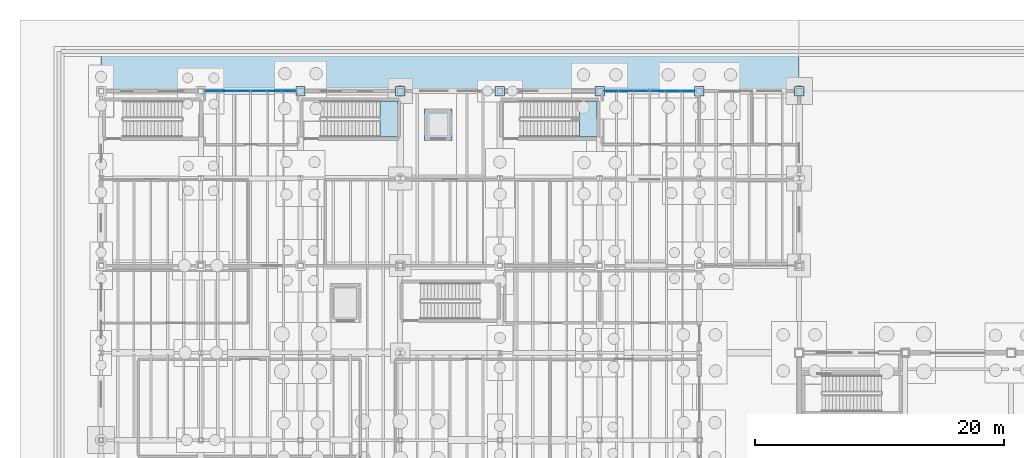
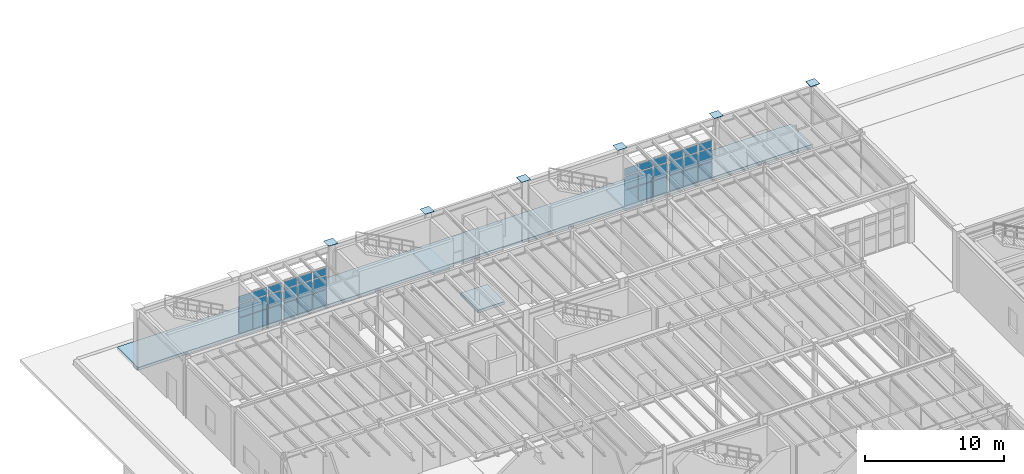
# One storey, part 51 of 86: 42 plates, 4 slabs, 6 elements without a shape of their own.
"""IFC4 building model written with IfcOpenShell, lengths in metres."""

from ifc_helpers import new_model, si_unit, direction, frame, origin, origin_2d, place, context, subcontext, project, spatial, polyline, rectangle, outline, extrude, material, layer, layer_set, material_profile, profile_set, type_object, element, aggregate, save


model = new_model("IFC4")

# Units and contexts
model_context = context("Model", 3, precision=1e-05, world=origin(), true_north=direction((0.0, 1.0)))
body_context = subcontext(model_context, "Body", "Model", "MODEL_VIEW")
ifc_project = project(units=[si_unit("LENGTHUNIT", "METRE"), si_unit("AREAUNIT", "SQUARE_METRE"), si_unit("VOLUMEUNIT", "CUBIC_METRE"), si_unit("PLANEANGLEUNIT", "RADIAN"), si_unit("MASSUNIT", "GRAM", prefix="KILO"), si_unit("THERMODYNAMICTEMPERATUREUNIT", "KELVIN"), si_unit("POWERUNIT", "WATT")], contexts=[model_context])

# Site, building, storey
site_placement = place(None, origin())
site = spatial("IfcSite", under=ifc_project, at=site_placement, CompositionType="ELEMENT")
building_placement = place(site_placement, origin())
building = spatial("IfcBuilding", under=site, at=building_placement, Name="Zhenchuan Central Fire Station", CompositionType="ELEMENT")
storey_placement = place(building_placement, frame((0.0, 0.0, 0.449951171875)))
storey = spatial("IfcBuildingStorey", under=building, at=storey_placement, Name="L01", CompositionType="ELEMENT", Elevation=0.449951171875)

# Curtain wall, plates
ifc_material_1 = material(Name="Anodised aluminium and low-E glazing", Category="aluminium")
curtain_wall_type_1 = type_object("IfcCurtainWallType", Name="CW-MOD-02", PredefinedType="USERDEFINED", material=ifc_material_1)
curtain_wall_1_placement = place(storey_placement, origin())
curtain_wall_1 = element("IfcCurtainWall", 1, at=curtain_wall_1_placement, inside=storey, type_object=curtain_wall_type_1, Name="L01 Unitised Curtain Wall 052", ObjectType="UNITISED GLAZING", PredefinedType="USERDEFINED")
ifc_material_2 = material(Name="Laminated low-E double glazing", Category="glass")
ifc_layer_1 = layer(ifc_material_2, 0.011962890625, Name="Laminated low-E double glazing", Category="glass")
ifc_layer_set_1 = layer_set([ifc_layer_1], Name="Laminated low-E double glazing")
plate_type_1 = type_object("IfcPlateType", Name="CW-PNL12", PredefinedType="CURTAIN_PANEL", material=ifc_layer_set_1)
plate_1_placement = place(storey_placement, frame((8.926513671875, 56.5, 0.06103515625), z_axis=(0.0, 0.0, 1.0), x_axis=(1.0, 0.0, 0.0)))
plate_1 = element("IfcPlate", 2, at=plate_1_placement, type_object=plate_type_1, Name="CW-02 panel 1.1", PredefinedType="CURTAIN_PANEL", context=body_context, shape_type="SweptSolid", body=[
    extrude(rectangle(XDim=1.123046875, YDim=0.011962890625, at=origin_2d()), origin(), (0.0, 0.0, 1.0), 1.33447265625),
])
plate_2_placement = place(storey_placement, frame((8.926513671875, 56.5, 1.46044921875), z_axis=(0.0, 0.0, 1.0), x_axis=(1.0, 0.0, 0.0)))
plate_2 = element("IfcPlate", 3, at=plate_2_placement, type_object=plate_type_1, Name="CW-02 panel 1.2", PredefinedType="CURTAIN_PANEL", context=body_context, shape_type="SweptSolid", body=[
    extrude(rectangle(XDim=1.123046875, YDim=0.011962890625, at=origin_2d()), origin(), (0.0, 0.0, 1.0), 1.158935546875),
])
plate_3_placement = place(storey_placement, frame((8.926513671875, 56.5, 2.6845703125), z_axis=(0.0, 0.0, 1.0), x_axis=(1.0, 0.0, 0.0)))
plate_3 = element("IfcPlate", 4, at=plate_3_placement, type_object=plate_type_1, Name="CW-02 panel 1.3", PredefinedType="CURTAIN_PANEL", context=body_context, shape_type="SweptSolid", body=[
    extrude(rectangle(XDim=1.123046875, YDim=0.011962890625, at=origin_2d()), origin(), (0.0, 0.0, 1.0), 0.650390625),
])
plate_4_placement = place(storey_placement, frame((10.131103515625, 56.5, 0.06103515625), z_axis=(0.0, 0.0, 1.0), x_axis=(1.0, 0.0, 0.0)))
plate_4 = element("IfcPlate", 5, at=plate_4_placement, type_object=plate_type_1, Name="CW-02 panel 2.1", PredefinedType="CURTAIN_PANEL", context=body_context, shape_type="SweptSolid", body=[
    extrude(rectangle(XDim=1.15576171875, YDim=0.011962890625, at=origin_2d()), origin(), (0.0, 0.0, 1.0), 1.33447265625),
])
plate_5_placement = place(storey_placement, frame((10.131103515625, 56.5, 1.46044921875), z_axis=(0.0, 0.0, 1.0), x_axis=(1.0, 0.0, 0.0)))
plate_5 = element("IfcPlate", 6, at=plate_5_placement, type_object=plate_type_1, Name="CW-02 panel 2.2", PredefinedType="CURTAIN_PANEL", context=body_context, shape_type="SweptSolid", body=[
    extrude(rectangle(XDim=1.15576171875, YDim=0.011962890625, at=origin_2d()), origin(), (0.0, 0.0, 1.0), 1.158935546875),
])
plate_6_placement = place(storey_placement, frame((10.131103515625, 56.5, 2.6845703125), z_axis=(0.0, 0.0, 1.0), x_axis=(1.0, 0.0, 0.0)))
plate_6 = element("IfcPlate", 7, at=plate_6_placement, type_object=plate_type_1, Name="CW-02 panel 2.3", PredefinedType="CURTAIN_PANEL", context=body_context, shape_type="SweptSolid", body=[
    extrude(rectangle(XDim=1.15576171875, YDim=0.011962890625, at=origin_2d()), origin(), (0.0, 0.0, 1.0), 0.650390625),
])
plate_7_placement = place(storey_placement, frame((11.33544921875, 56.5, 0.06103515625), z_axis=(0.0, 0.0, 1.0), x_axis=(1.0, 0.0, 0.0)))
plate_7 = element("IfcPlate", 8, at=plate_7_placement, type_object=plate_type_1, Name="CW-02 panel 3.1", PredefinedType="CURTAIN_PANEL", context=body_context, shape_type="SweptSolid", body=[
    extrude(rectangle(XDim=1.123046875, YDim=0.011962890625, at=origin_2d()), origin(), (0.0, 0.0, 1.0), 1.33447265625),
])
plate_8_placement = place(storey_placement, frame((11.33544921875, 56.5, 1.46044921875), z_axis=(0.0, 0.0, 1.0), x_axis=(1.0, 0.0, 0.0)))
plate_8 = element("IfcPlate", 9, at=plate_8_placement, type_object=plate_type_1, Name="CW-02 panel 3.2", PredefinedType="CURTAIN_PANEL", context=body_context, shape_type="SweptSolid", body=[
    extrude(rectangle(XDim=1.123046875, YDim=0.011962890625, at=origin_2d()), origin(), (0.0, 0.0, 1.0), 1.158935546875),
])
plate_9_placement = place(storey_placement, frame((11.33544921875, 56.5, 2.6845703125), z_axis=(0.0, 0.0, 1.0), x_axis=(1.0, 0.0, 0.0)))
plate_9 = element("IfcPlate", 10, at=plate_9_placement, type_object=plate_type_1, Name="CW-02 panel 3.3", PredefinedType="CURTAIN_PANEL", context=body_context, shape_type="SweptSolid", body=[
    extrude(rectangle(XDim=1.123046875, YDim=0.011962890625, at=origin_2d()), origin(), (0.0, 0.0, 1.0), 0.650390625),
])
aggregate(curtain_wall_1, [plate_1, plate_2, plate_3, plate_4, plate_5, plate_6, plate_7, plate_8, plate_9])

curtain_wall_type_2 = type_object("IfcCurtainWallType", Name="CW-MOD-03", PredefinedType="USERDEFINED", material=ifc_material_1)
curtain_wall_2_placement = place(storey_placement, origin())
curtain_wall_2 = element("IfcCurtainWall", 11, at=curtain_wall_2_placement, inside=storey, type_object=curtain_wall_type_2, Name="L01 Unitised Curtain Wall 053", ObjectType="UNITISED GLAZING", PredefinedType="USERDEFINED")
plate_10_placement = place(storey_placement, frame((12.66455078125, 56.5, 0.06103515625), z_axis=(0.0, 0.0, 1.0), x_axis=(1.0, 0.0, 0.0)))
plate_10 = element("IfcPlate", 12, at=plate_10_placement, type_object=plate_type_1, Name="CW-03 panel 1.1", PredefinedType="CURTAIN_PANEL", context=body_context, shape_type="SweptSolid", body=[
    extrude(rectangle(XDim=1.123046875, YDim=0.011962890625, at=origin_2d()), origin(), (0.0, 0.0, 1.0), 1.33447265625),
])
plate_11_placement = place(storey_placement, frame((12.66455078125, 56.5, 1.46044921875), z_axis=(0.0, 0.0, 1.0), x_axis=(1.0, 0.0, 0.0)))
plate_11 = element("IfcPlate", 13, at=plate_11_placement, type_object=plate_type_1, Name="CW-03 panel 1.2", PredefinedType="CURTAIN_PANEL", context=body_context, shape_type="SweptSolid", body=[
    extrude(rectangle(XDim=1.123046875, YDim=0.011962890625, at=origin_2d()), origin(), (0.0, 0.0, 1.0), 1.158935546875),
])
plate_12_placement = place(storey_placement, frame((12.66455078125, 56.5, 2.6845703125), z_axis=(0.0, 0.0, 1.0), x_axis=(1.0, 0.0, 0.0)))
plate_12 = element("IfcPlate", 14, at=plate_12_placement, type_object=plate_type_1, Name="CW-03 panel 1.3", PredefinedType="CURTAIN_PANEL", context=body_context, shape_type="SweptSolid", body=[
    extrude(rectangle(XDim=1.123046875, YDim=0.011962890625, at=origin_2d()), origin(), (0.0, 0.0, 1.0), 0.650390625),
])
plate_13_placement = place(storey_placement, frame((13.868896484375, 56.5, 0.06103515625), z_axis=(0.0, 0.0, 1.0), x_axis=(1.0, 0.0, 0.0)))
plate_13 = element("IfcPlate", 15, at=plate_13_placement, type_object=plate_type_1, Name="CW-03 panel 2.1", PredefinedType="CURTAIN_PANEL", context=body_context, shape_type="SweptSolid", body=[
    extrude(rectangle(XDim=1.15576171875, YDim=0.011962890625, at=origin_2d()), origin(), (0.0, 0.0, 1.0), 1.33447265625),
])
plate_14_placement = place(storey_placement, frame((13.868896484375, 56.5, 1.46044921875), z_axis=(0.0, 0.0, 1.0), x_axis=(1.0, 0.0, 0.0)))
plate_14 = element("IfcPlate", 16, at=plate_14_placement, type_object=plate_type_1, Name="CW-03 panel 2.2", PredefinedType="CURTAIN_PANEL", context=body_context, shape_type="SweptSolid", body=[
    extrude(rectangle(XDim=1.15576171875, YDim=0.011962890625, at=origin_2d()), origin(), (0.0, 0.0, 1.0), 1.158935546875),
])
plate_15_placement = place(storey_placement, frame((13.868896484375, 56.5, 2.6845703125), z_axis=(0.0, 0.0, 1.0), x_axis=(1.0, 0.0, 0.0)))
plate_15 = element("IfcPlate", 17, at=plate_15_placement, type_object=plate_type_1, Name="CW-03 panel 2.3", PredefinedType="CURTAIN_PANEL", context=body_context, shape_type="SweptSolid", body=[
    extrude(rectangle(XDim=1.15576171875, YDim=0.011962890625, at=origin_2d()), origin(), (0.0, 0.0, 1.0), 0.650390625),
])
plate_16_placement = place(storey_placement, frame((15.073486328125, 56.5, 0.06103515625), z_axis=(0.0, 0.0, 1.0), x_axis=(1.0, 0.0, 0.0)))
plate_16 = element("IfcPlate", 18, at=plate_16_placement, type_object=plate_type_1, Name="CW-03 panel 3.1", PredefinedType="CURTAIN_PANEL", context=body_context, shape_type="SweptSolid", body=[
    extrude(rectangle(XDim=1.123046875, YDim=0.011962890625, at=origin_2d()), origin(), (0.0, 0.0, 1.0), 1.33447265625),
])
plate_17_placement = place(storey_placement, frame((15.073486328125, 56.5, 1.46044921875), z_axis=(0.0, 0.0, 1.0), x_axis=(1.0, 0.0, 0.0)))
plate_17 = element("IfcPlate", 19, at=plate_17_placement, type_object=plate_type_1, Name="CW-03 panel 3.2", PredefinedType="CURTAIN_PANEL", context=body_context, shape_type="SweptSolid", body=[
    extrude(rectangle(XDim=1.123046875, YDim=0.011962890625, at=origin_2d()), origin(), (0.0, 0.0, 1.0), 1.158935546875),
])
plate_18_placement = place(storey_placement, frame((15.073486328125, 56.5, 2.6845703125), z_axis=(0.0, 0.0, 1.0), x_axis=(1.0, 0.0, 0.0)))
plate_18 = element("IfcPlate", 20, at=plate_18_placement, type_object=plate_type_1, Name="CW-03 panel 3.3", PredefinedType="CURTAIN_PANEL", context=body_context, shape_type="SweptSolid", body=[
    extrude(rectangle(XDim=1.123046875, YDim=0.011962890625, at=origin_2d()), origin(), (0.0, 0.0, 1.0), 0.650390625),
])
aggregate(curtain_wall_2, [plate_10, plate_11, plate_12, plate_13, plate_14, plate_15, plate_16, plate_17, plate_18])

curtain_wall_type_3 = type_object("IfcCurtainWallType", Name="CW-MOD-06", PredefinedType="USERDEFINED", material=ifc_material_1)
curtain_wall_3_placement = place(storey_placement, origin())
curtain_wall_3 = element("IfcCurtainWall", 21, at=curtain_wall_3_placement, inside=storey, type_object=curtain_wall_type_3, Name="L01 Unitised Curtain Wall 054", ObjectType="UNITISED GLAZING", PredefinedType="USERDEFINED")
plate_19_placement = place(storey_placement, frame((40.926513671875, 56.5, 0.06103515625), z_axis=(0.0, 0.0, 1.0), x_axis=(1.0, 0.0, 0.0)))
plate_19 = element("IfcPlate", 22, at=plate_19_placement, type_object=plate_type_1, Name="CW-06 panel 1.1", PredefinedType="CURTAIN_PANEL", context=body_context, shape_type="SweptSolid", body=[
    extrude(rectangle(XDim=1.123046875, YDim=0.011962890625, at=origin_2d()), origin(), (0.0, 0.0, 1.0), 1.33447265625),
])
plate_20_placement = place(storey_placement, frame((40.926513671875, 56.5, 1.46044921875), z_axis=(0.0, 0.0, 1.0), x_axis=(1.0, 0.0, 0.0)))
plate_20 = element("IfcPlate", 23, at=plate_20_placement, type_object=plate_type_1, Name="CW-06 panel 1.2", PredefinedType="CURTAIN_PANEL", context=body_context, shape_type="SweptSolid", body=[
    extrude(rectangle(XDim=1.123046875, YDim=0.011962890625, at=origin_2d()), origin(), (0.0, 0.0, 1.0), 1.158935546875),
])
plate_21_placement = place(storey_placement, frame((40.926513671875, 56.5, 2.6845703125), z_axis=(0.0, 0.0, 1.0), x_axis=(1.0, 0.0, 0.0)))
plate_21 = element("IfcPlate", 24, at=plate_21_placement, type_object=plate_type_1, Name="CW-06 panel 1.3", PredefinedType="CURTAIN_PANEL", context=body_context, shape_type="SweptSolid", body=[
    extrude(rectangle(XDim=1.123046875, YDim=0.011962890625, at=origin_2d()), origin(), (0.0, 0.0, 1.0), 0.650390625),
])
plate_22_placement = place(storey_placement, frame((42.131103515625, 56.5, 0.06103515625), z_axis=(0.0, 0.0, 1.0), x_axis=(1.0, 0.0, 0.0)))
plate_22 = element("IfcPlate", 25, at=plate_22_placement, type_object=plate_type_1, Name="CW-06 panel 2.1", PredefinedType="CURTAIN_PANEL", context=body_context, shape_type="SweptSolid", body=[
    extrude(rectangle(XDim=1.15576171875, YDim=0.011962890625, at=origin_2d()), origin(), (0.0, 0.0, 1.0), 1.33447265625),
])
plate_23_placement = place(storey_placement, frame((42.131103515625, 56.5, 1.46044921875), z_axis=(0.0, 0.0, 1.0), x_axis=(1.0, 0.0, 0.0)))
plate_23 = element("IfcPlate", 26, at=plate_23_placement, type_object=plate_type_1, Name="CW-06 panel 2.2", PredefinedType="CURTAIN_PANEL", context=body_context, shape_type="SweptSolid", body=[
    extrude(rectangle(XDim=1.15576171875, YDim=0.011962890625, at=origin_2d()), origin(), (0.0, 0.0, 1.0), 1.158935546875),
])
plate_24_placement = place(storey_placement, frame((42.131103515625, 56.5, 2.6845703125), z_axis=(0.0, 0.0, 1.0), x_axis=(1.0, 0.0, 0.0)))
plate_24 = element("IfcPlate", 27, at=plate_24_placement, type_object=plate_type_1, Name="CW-06 panel 2.3", PredefinedType="CURTAIN_PANEL", context=body_context, shape_type="SweptSolid", body=[
    extrude(rectangle(XDim=1.15576171875, YDim=0.011962890625, at=origin_2d()), origin(), (0.0, 0.0, 1.0), 0.650390625),
])
plate_25_placement = place(storey_placement, frame((43.33544921875, 56.5, 0.06103515625), z_axis=(0.0, 0.0, 1.0), x_axis=(1.0, 0.0, 0.0)))
plate_25 = element("IfcPlate", 28, at=plate_25_placement, type_object=plate_type_1, Name="CW-06 panel 3.1", PredefinedType="CURTAIN_PANEL", context=body_context, shape_type="SweptSolid", body=[
    extrude(rectangle(XDim=1.123046875, YDim=0.011962890625, at=origin_2d()), origin(), (0.0, 0.0, 1.0), 1.33447265625),
])
plate_26_placement = place(storey_placement, frame((43.33544921875, 56.5, 1.46044921875), z_axis=(0.0, 0.0, 1.0), x_axis=(1.0, 0.0, 0.0)))
plate_26 = element("IfcPlate", 29, at=plate_26_placement, type_object=plate_type_1, Name="CW-06 panel 3.2", PredefinedType="CURTAIN_PANEL", context=body_context, shape_type="SweptSolid", body=[
    extrude(rectangle(XDim=1.123046875, YDim=0.011962890625, at=origin_2d()), origin(), (0.0, 0.0, 1.0), 1.158935546875),
])
plate_27_placement = place(storey_placement, frame((43.33544921875, 56.5, 2.6845703125), z_axis=(0.0, 0.0, 1.0), x_axis=(1.0, 0.0, 0.0)))
plate_27 = element("IfcPlate", 30, at=plate_27_placement, type_object=plate_type_1, Name="CW-06 panel 3.3", PredefinedType="CURTAIN_PANEL", context=body_context, shape_type="SweptSolid", body=[
    extrude(rectangle(XDim=1.123046875, YDim=0.011962890625, at=origin_2d()), origin(), (0.0, 0.0, 1.0), 0.650390625),
])
aggregate(curtain_wall_3, [plate_19, plate_20, plate_21, plate_22, plate_23, plate_24, plate_25, plate_26, plate_27])

curtain_wall_type_4 = type_object("IfcCurtainWallType", Name="CW-MOD-07", PredefinedType="USERDEFINED", material=ifc_material_1)
curtain_wall_4_placement = place(storey_placement, origin())
curtain_wall_4 = element("IfcCurtainWall", 31, at=curtain_wall_4_placement, inside=storey, type_object=curtain_wall_type_4, Name="L01 Unitised Curtain Wall 055", ObjectType="UNITISED GLAZING", PredefinedType="USERDEFINED")
plate_28_placement = place(storey_placement, frame((44.66455078125, 56.5, 0.06103515625), z_axis=(0.0, 0.0, 1.0), x_axis=(1.0, 0.0, 0.0)))
plate_28 = element("IfcPlate", 32, at=plate_28_placement, type_object=plate_type_1, Name="CW-07 panel 1.1", PredefinedType="CURTAIN_PANEL", context=body_context, shape_type="SweptSolid", body=[
    extrude(rectangle(XDim=1.123046875, YDim=0.011962890625, at=origin_2d()), origin(), (0.0, 0.0, 1.0), 1.33447265625),
])
plate_29_placement = place(storey_placement, frame((44.66455078125, 56.5, 1.46044921875), z_axis=(0.0, 0.0, 1.0), x_axis=(1.0, 0.0, 0.0)))
plate_29 = element("IfcPlate", 33, at=plate_29_placement, type_object=plate_type_1, Name="CW-07 panel 1.2", PredefinedType="CURTAIN_PANEL", context=body_context, shape_type="SweptSolid", body=[
    extrude(rectangle(XDim=1.123046875, YDim=0.011962890625, at=origin_2d()), origin(), (0.0, 0.0, 1.0), 1.158935546875),
])
plate_30_placement = place(storey_placement, frame((44.66455078125, 56.5, 2.6845703125), z_axis=(0.0, 0.0, 1.0), x_axis=(1.0, 0.0, 0.0)))
plate_30 = element("IfcPlate", 34, at=plate_30_placement, type_object=plate_type_1, Name="CW-07 panel 1.3", PredefinedType="CURTAIN_PANEL", context=body_context, shape_type="SweptSolid", body=[
    extrude(rectangle(XDim=1.123046875, YDim=0.011962890625, at=origin_2d()), origin(), (0.0, 0.0, 1.0), 0.650390625),
])
plate_31_placement = place(storey_placement, frame((45.868896484375, 56.5, 0.06103515625), z_axis=(0.0, 0.0, 1.0), x_axis=(1.0, 0.0, 0.0)))
plate_31 = element("IfcPlate", 35, at=plate_31_placement, type_object=plate_type_1, Name="CW-07 panel 2.1", PredefinedType="CURTAIN_PANEL", context=body_context, shape_type="SweptSolid", body=[
    extrude(rectangle(XDim=1.15576171875, YDim=0.011962890625, at=origin_2d()), origin(), (0.0, 0.0, 1.0), 1.33447265625),
])
plate_32_placement = place(storey_placement, frame((45.868896484375, 56.5, 1.46044921875), z_axis=(0.0, 0.0, 1.0), x_axis=(1.0, 0.0, 0.0)))
plate_32 = element("IfcPlate", 36, at=plate_32_placement, type_object=plate_type_1, Name="CW-07 panel 2.2", PredefinedType="CURTAIN_PANEL", context=body_context, shape_type="SweptSolid", body=[
    extrude(rectangle(XDim=1.15576171875, YDim=0.011962890625, at=origin_2d()), origin(), (0.0, 0.0, 1.0), 1.158935546875),
])
plate_33_placement = place(storey_placement, frame((45.868896484375, 56.5, 2.6845703125), z_axis=(0.0, 0.0, 1.0), x_axis=(1.0, 0.0, 0.0)))
plate_33 = element("IfcPlate", 37, at=plate_33_placement, type_object=plate_type_1, Name="CW-07 panel 2.3", PredefinedType="CURTAIN_PANEL", context=body_context, shape_type="SweptSolid", body=[
    extrude(rectangle(XDim=1.15576171875, YDim=0.011962890625, at=origin_2d()), origin(), (0.0, 0.0, 1.0), 0.650390625),
])
plate_34_placement = place(storey_placement, frame((47.073486328125, 56.5, 0.06103515625), z_axis=(0.0, 0.0, 1.0), x_axis=(1.0, 0.0, 0.0)))
plate_34 = element("IfcPlate", 38, at=plate_34_placement, type_object=plate_type_1, Name="CW-07 panel 3.1", PredefinedType="CURTAIN_PANEL", context=body_context, shape_type="SweptSolid", body=[
    extrude(rectangle(XDim=1.123046875, YDim=0.011962890625, at=origin_2d()), origin(), (0.0, 0.0, 1.0), 1.33447265625),
])
plate_35_placement = place(storey_placement, frame((47.073486328125, 56.5, 1.46044921875), z_axis=(0.0, 0.0, 1.0), x_axis=(1.0, 0.0, 0.0)))
plate_35 = element("IfcPlate", 39, at=plate_35_placement, type_object=plate_type_1, Name="CW-07 panel 3.2", PredefinedType="CURTAIN_PANEL", context=body_context, shape_type="SweptSolid", body=[
    extrude(rectangle(XDim=1.123046875, YDim=0.011962890625, at=origin_2d()), origin(), (0.0, 0.0, 1.0), 1.158935546875),
])
plate_36_placement = place(storey_placement, frame((47.073486328125, 56.5, 2.6845703125), z_axis=(0.0, 0.0, 1.0), x_axis=(1.0, 0.0, 0.0)))
plate_36 = element("IfcPlate", 40, at=plate_36_placement, type_object=plate_type_1, Name="CW-07 panel 3.3", PredefinedType="CURTAIN_PANEL", context=body_context, shape_type="SweptSolid", body=[
    extrude(rectangle(XDim=1.123046875, YDim=0.011962890625, at=origin_2d()), origin(), (0.0, 0.0, 1.0), 0.650390625),
])
aggregate(curtain_wall_4, [plate_28, plate_29, plate_30, plate_31, plate_32, plate_33, plate_34, plate_35, plate_36])

# Plates
ifc_material_3 = material(Name="Steel Q355B", Category="steel")
ifc_material_profile = material_profile(ifc_material_3, rectangle(XDim=0.760009765625, YDim=0.760009765625, at=origin_2d()), Name="PL 760x760x40")
ifc_profile_set = profile_set([ifc_material_profile], Name="Steel Q355B")
plate_type_2 = type_object("IfcPlateType", Name="PL-BAS40", PredefinedType="SHEET", material=ifc_profile_set)
for number, where, z_axis, x_axis, name in (
    (41, (16.0, 56.5, 5.39599609375), (0.0, 0.0, 1.0), (1.0, 0.0, 0.0), "L01 Column 027 end cap plate B"),
    (42, (24.0, 56.5, 5.39599609375), (0.0, 0.0, 1.0), (1.0, 0.0, 0.0), "L01 Column 036 end cap plate B"),
    (43, (32.0, 56.5, 5.39599609375), (0.0, 0.0, 1.0), (1.0, 0.0, 0.0), "L01 Column 045 end cap plate B"),
    (44, (40.0, 56.5, 5.39599609375), (0.0, 0.0, 1.0), (1.0, 0.0, 0.0), "L01 Column 054 end cap plate B"),
    (45, (48.0, 56.5, 5.39599609375), (0.0, 0.0, 1.0), (1.0, 0.0, 0.0), "L01 Column 063 end cap plate B"),
    (46, (56.0, 56.5, 5.39599609375), (0.0, 0.0, 1.0), (1.0, 0.0, 0.0), "L01 Column 069 end cap plate B"),
):
    element("IfcPlate", number, at=place(storey_placement, frame(where, z_axis=z_axis, x_axis=x_axis)), inside=storey, type_object=plate_type_2, Name=name, PredefinedType="SHEET", context=body_context, shape_type="SweptSolid", body=[
        extrude(rectangle(XDim=0.760009765625, YDim=0.760009765625, at=origin_2d()), origin(), (0.0, 0.0, 1.0), 0.02001953125),
    ])

# Slabs
ifc_material_4 = material(Name="Concrete C35/45", Category="concrete")
ifc_layer_2 = layer(ifc_material_4, 0.25, Name="Concrete C35/45", Category="concrete")
ifc_layer_set_2 = layer_set([ifc_layer_2], Name="Concrete C35/45")
slab_type_1 = type_object("IfcSlabType", Name="SL-BASE250-EXT", PredefinedType="BASESLAB", material=ifc_layer_set_2)
slab_1_placement = place(storey_placement, frame((0.0, 0.0, -1.89990234375)))
element("IfcSlab", 47, at=slab_1_placement, inside=storey, type_object=slab_type_1, Name="Lift LP-03 Pit Base Slab", PredefinedType="BASESLAB", context=body_context, shape_type="SweptSolid", body=[
    extrude(outline(polyline([(25.949951171875, 52.550048828125), (28.14990234375, 52.550048828125), (28.14990234375, 55.050048828125), (25.949951171875, 55.050048828125), (25.949951171875, 52.550048828125)])), origin(), (0.0, 0.0, 1.0), 0.25),
])
slab_2_placement = place(storey_placement, frame((0.0, 0.0, -0.25)))
element("IfcSlab", 48, at=slab_2_placement, inside=storey, type_object=slab_type_1, Name="North Perimeter Escape Walkway West", PredefinedType="BASESLAB", context=body_context, shape_type="SweptSolid", body=[
    extrude(outline(polyline([(0.0, 56.50390625), (55.97509765625, 56.50390625), (55.97509765625, 59.5), (0.0, 59.5), (0.0, 56.50390625)])), origin(), (0.0, 0.0, 1.0), 0.25),
])

# Stair, slab
stair_type = type_object("IfcStairType", Name="ST-CORE-L01", PredefinedType="HALF_TURN_STAIR", material=ifc_material_4)
stair_1_placement = place(storey_placement, origin())
stair_1 = element("IfcStair", 49, at=stair_1_placement, inside=storey, type_object=stair_type, Name="L01 Crew Central Turnout Stair", PredefinedType="HALF_TURN_STAIR")
ifc_layer_3 = layer(ifc_material_4, 0.159912109375, Name="Concrete C35/45", Category="concrete")
ifc_layer_set_3 = layer_set([ifc_layer_3], Name="Concrete C35/45")
slab_type_2 = type_object("IfcSlabType", Name="SL-LND160", PredefinedType="LANDING", material=ifc_layer_set_3)
slab_3_placement = place(storey_placement, frame((0.0, 0.0, 2.5)))
slab_3 = element("IfcSlab", 50, at=slab_3_placement, type_object=slab_type_2, Name="ST-06 landing 1", PredefinedType="LANDING", context=body_context, shape_type="SweptSolid", body=[
    extrude(outline(polyline([(22.3798828125, 52.800048828125), (23.780029296875, 52.800048828125), (23.780029296875, 55.699951171875), (22.3798828125, 55.699951171875), (22.3798828125, 52.800048828125)])), origin(), (0.0, 0.0, 1.0), 0.199951171875),
])
aggregate(stair_1, [slab_3])

stair_2_placement = place(storey_placement, origin())
stair_2 = element("IfcStair", 51, at=stair_2_placement, inside=storey, type_object=stair_type, Name="L01 Crew East Turnout Stair", PredefinedType="HALF_TURN_STAIR")
slab_4_placement = place(storey_placement, frame((0.0, 0.0, 2.5)))
slab_4 = element("IfcSlab", 52, at=slab_4_placement, type_object=slab_type_2, Name="ST-07 landing 1", PredefinedType="LANDING", context=body_context, shape_type="SweptSolid", body=[
    extrude(outline(polyline([(38.3798828125, 52.800048828125), (39.780029296875, 52.800048828125), (39.780029296875, 55.699951171875), (38.3798828125, 55.699951171875), (38.3798828125, 52.800048828125)])), origin(), (0.0, 0.0, 1.0), 0.199951171875),
])
aggregate(stair_2, [slab_4])

save(model, "model.ifc")
